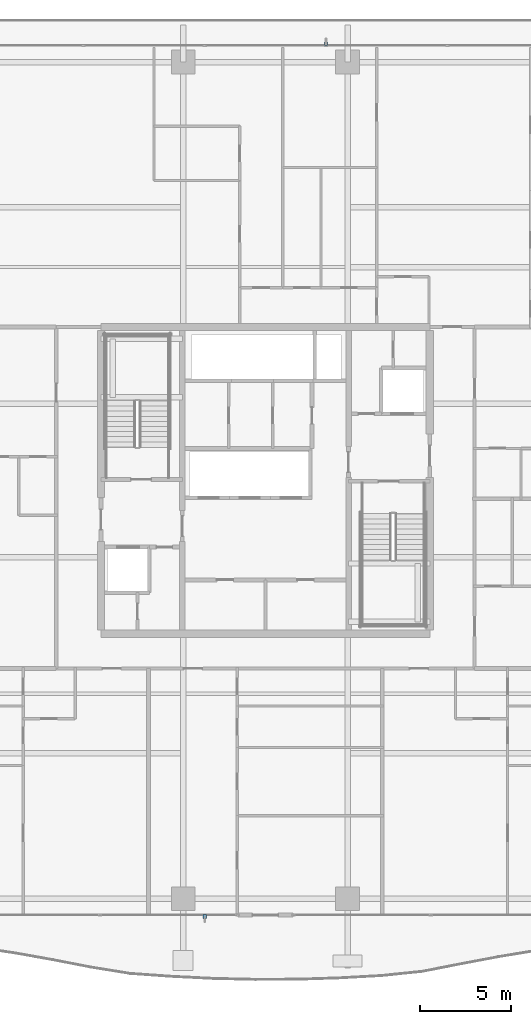
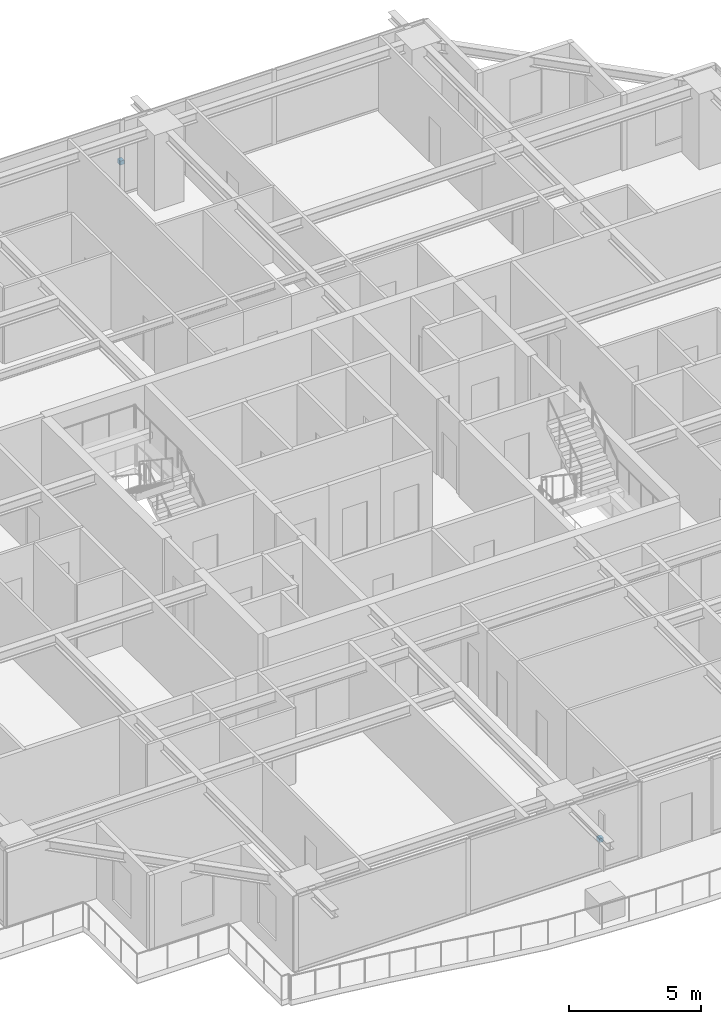
# One storey, part 28 of 35: 2 discrete accessories.
"""IFC4 building model written with IfcOpenShell, lengths in metres."""

from ifc_helpers import new_model, si_unit, direction, frame, origin, origin_2d, place, context, subcontext, project, spatial, rectangle, extrude, source, transform, mapped, material, type_object, element, save


model = new_model("IFC4")

# Units and contexts
model_context = context("Model", 3, precision=1e-05, world=origin(), true_north=direction((0.0, 1.0)))
body_context = subcontext(model_context, "Body", "Model", "MODEL_VIEW")
ifc_project = project(units=[si_unit("LENGTHUNIT", "METRE"), si_unit("AREAUNIT", "SQUARE_METRE"), si_unit("VOLUMEUNIT", "CUBIC_METRE"), si_unit("PLANEANGLEUNIT", "RADIAN"), si_unit("MASSUNIT", "GRAM", prefix="KILO")], contexts=[model_context])

# Site, building, storey
site_placement = place(None, origin())
site = spatial("IfcSite", under=ifc_project, at=site_placement, CompositionType="ELEMENT")
building_placement = place(site_placement, origin())
building = spatial("IfcBuilding", under=site, at=building_placement, Name="Serunith Strait Residences", CompositionType="ELEMENT")
storey_placement = place(building_placement, frame((0.0, 0.0, 157.64990234375)))
storey = spatial("IfcBuildingStorey", under=building, at=storey_placement, Name="L39", CompositionType="ELEMENT", Elevation=157.64990234375)

# Discrete accessories
ifc_material = material(Name="Stainless Steel Facade Cleat Bracket", Category="steel")
discrete_accessory_type = type_object("IfcDiscreteAccessoryType", Name="ACC-FIN-BRACKET", PredefinedType="USERDEFINED", material=ifc_material)
shared_shape = source(origin(), body_context, "Body", "SweptSolid", [
    extrude(rectangle(XDim=0.179931640625, YDim=0.219970703125, at=origin_2d()), origin(), (0.0, 0.0, 1.0), 0.179931640625),
])
for number, where, z_axis, x_axis, name in (
    (1, (29.080078125, 1.320068359375, 1.41015625), (0.0, 0.0, 1.0), (1.0, 0.0, 0.0), "L39 Solar Fin Cleat Bracket S"),
    (2, (35.719970703125, 49.080078125, 1.41015625), (0.0, 0.0, 1.0), (1.0, 0.0, 0.0), "L39 Solar Fin Cleat Bracket N"),
):
    element("IfcDiscreteAccessory", number, at=place(storey_placement, frame(where, z_axis=z_axis, x_axis=x_axis)), inside=storey, type_object=discrete_accessory_type, Name=name, ObjectType="BRACKET", PredefinedType="USERDEFINED", context=body_context, shape_type="MappedRepresentation", body=[
        mapped(shared_shape, transform((0.0, 0.0, 0.0), scale=1.0)),
    ])

save(model, "model.ifc")
